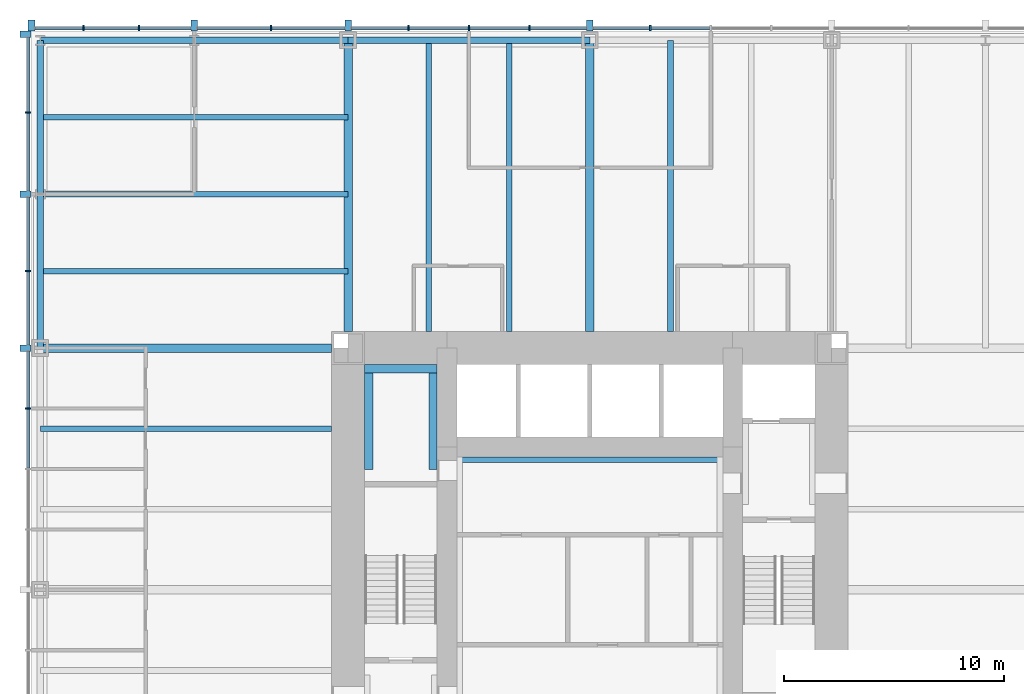
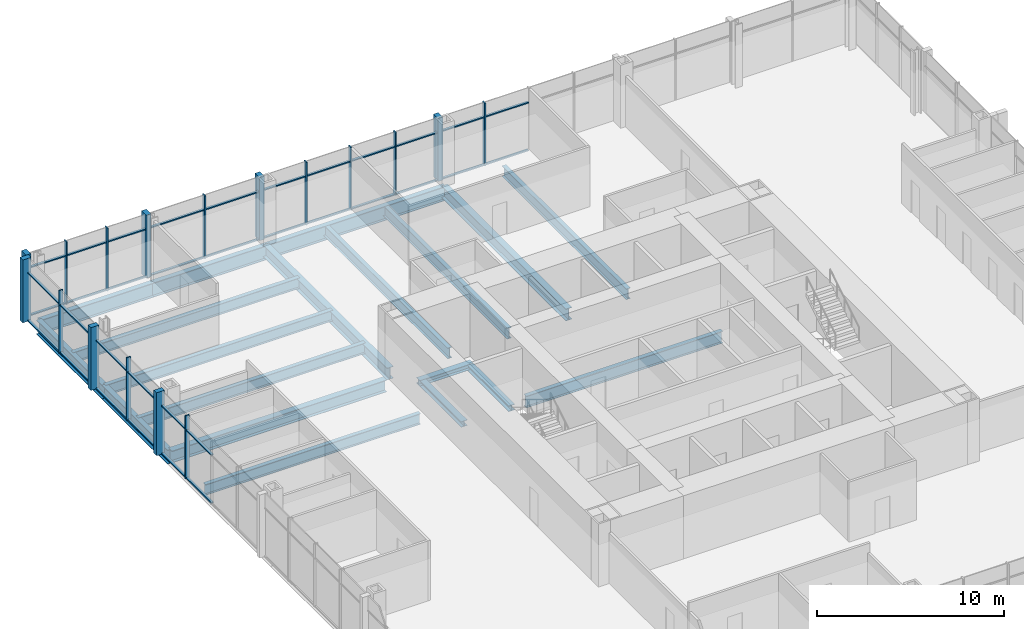
# One storey, part 5 of 13: 51 members, 19 beams, 2 elements without a shape of their own.
"""IFC4 building model written with IfcOpenShell, lengths in metres."""

import ifcopenshell
import ifcopenshell.guid

model = None  # the IFC model being written
_history = None  # IfcOwnerHistory: only IFC2X3 demands one
_inside = {}  # id of a spatial element -> (the spatial element, [elements in it])
_under = {}  # id of a project, library or spatial element -> (it, [spatial elements below it])
_declared = {}  # id of a project -> (the project, [libraries it declares])
_typed = {}  # id of a type object -> (the type object, [elements of that type])
_made_of = {}  # id of a material, layer set ... -> (it, [elements and type objects made of it])


def new_model(schema):
    """Start an empty IFC model of exactly this schema.

    Asked for "IFC4X3", IfcOpenShell would pick the latest addendum, in which some entities
    have other attributes; the version numbers below select the first issue.
    IFC2X3 requires an IfcOwnerHistory on every rooted entity: one is made here for all.
    """
    global model, _history
    if schema == "IFC4X3":
        model = ifcopenshell.file(schema_version=(4, 3, 0, 0))
    else:
        model = ifcopenshell.file(schema=schema)
    _inside.clear()
    _under.clear()
    _declared.clear()
    _typed.clear()
    _made_of.clear()
    _history = None
    if model.schema == "IFC2X3":
        org = make("IfcOrganization", Name="unknown")
        user = make(
            "IfcPersonAndOrganization",
            ThePerson=make("IfcPerson", FamilyName="unknown"),
            TheOrganization=org,
        )
        app = make(
            "IfcApplication",
            ApplicationDeveloper=org,
            Version="unknown",
            ApplicationFullName="unknown",
            ApplicationIdentifier="unknown",
        )
        _history = make(
            "IfcOwnerHistory",
            OwningUser=user,
            OwningApplication=app,
            ChangeAction="ADDED",
            CreationDate=0,
        )
    return model


def make(cls, **values):
    """One entity of the class cls with the attributes given. An attribute that is None is left unset."""
    return model.create_entity(
        cls, **{name: value for name, value in values.items() if value is not None}
    )


def rooted(cls, **values):
    """An entity with a GlobalId (a new one), such as an element, a storey or a relation."""
    return make(cls, GlobalId=ifcopenshell.guid.new(), OwnerHistory=_history, **values)


def si_unit(unit_type, name, prefix=None):
    """IfcSIUnit, for example si_unit("LENGTHUNIT", "METRE", prefix="MILLI")."""
    return make("IfcSIUnit", UnitType=unit_type, Prefix=prefix, Name=name)


def assignment(units):
    """IfcUnitAssignment: the units of a project."""
    return None if units is None else make("IfcUnitAssignment", Units=units)


def point(xyz):
    """IfcCartesianPoint."""
    return None if xyz is None else make("IfcCartesianPoint", Coordinates=xyz)


def direction(xyz):
    """IfcDirection."""
    return None if xyz is None else make("IfcDirection", DirectionRatios=xyz)


def frame(location, z_axis=None, x_axis=None):
    """IfcAxis2Placement3D, a coordinate frame: its origin and axes. An axis left out is left unset."""
    return make(
        "IfcAxis2Placement3D",
        Location=point(location),
        Axis=direction(z_axis),
        RefDirection=direction(x_axis),
    )


def frame_2d(location, x_axis=None):
    """IfcAxis2Placement2D, a coordinate frame in the plane: its origin and x axis."""
    return make(
        "IfcAxis2Placement2D", Location=point(location), RefDirection=direction(x_axis)
    )


def origin():
    """The frame at (0, 0, 0) with its axes left unset."""
    return frame((0.0, 0.0, 0.0))


def origin_2d():
    """The frame at (0, 0) in the plane with its x axis left unset."""
    return frame_2d((0.0, 0.0))


def place(relative_to, where):
    """IfcLocalPlacement: puts the frame where relative to a parent placement (None: the world)."""
    return make(
        "IfcLocalPlacement", PlacementRelTo=relative_to, RelativePlacement=where
    )


def context(
    kind, dimensions, precision=None, world=None, true_north=None, identifier=None
):
    """IfcGeometricRepresentationContext, for example the 3D "Model" context."""
    return make(
        "IfcGeometricRepresentationContext",
        ContextIdentifier=identifier,
        ContextType=kind,
        CoordinateSpaceDimension=dimensions,
        Precision=precision,
        WorldCoordinateSystem=world,
        TrueNorth=true_north,
    )


def subcontext(parent, identifier, kind, view, scale=None):
    """IfcGeometricRepresentationSubContext, for example "Body" below "Model"."""
    return make(
        "IfcGeometricRepresentationSubContext",
        ContextIdentifier=identifier,
        ContextType=kind,
        ParentContext=parent,
        TargetScale=scale,
        TargetView=view,
    )


def project(units=None, contexts=None):
    """IfcProject with its units and contexts."""
    return rooted(
        "IfcProject",
        Name="project",
        RepresentationContexts=contexts,
        UnitsInContext=assignment(units),
    )


def spatial(cls, under=None, at=None, **own):
    """A site, building, storey or space (cls), placed at a placement, below another one or the project."""
    s = rooted(cls, ObjectPlacement=at, **own)
    if under is not None:
        _under.setdefault(under.id(), (under, []))[1].append(s)
    return s


def profile(cls, at=None, kind="AREA", **sizes):
    """A parametric profile (cls). Its sizes go by their IFC names, for example OverallWidth=200.0."""
    return make(cls, ProfileType=kind, Position=at, **sizes)


def rectangle(**sizes):
    """IfcRectangleProfileDef."""
    return profile("IfcRectangleProfileDef", **sizes)


def i_section(**sizes):
    """IfcIShapeProfileDef."""
    return profile("IfcIShapeProfileDef", **sizes)


def extrude(swept, where, along, depth):
    """IfcExtrudedAreaSolid: the profile swept, set in the frame where, extruded along a direction by depth."""
    return make(
        "IfcExtrudedAreaSolid",
        SweptArea=swept,
        Position=where,
        ExtrudedDirection=direction(along),
        Depth=depth,
    )


def shape(context_of_items, identifier, shape_type, items):
    """IfcShapeRepresentation: the items that make up one representation, for example the "Body"."""
    return make(
        "IfcShapeRepresentation",
        ContextOfItems=context_of_items,
        RepresentationIdentifier=identifier,
        RepresentationType=shape_type,
        Items=items,
    )


def material(Name=None, Category=None):
    """IfcMaterial."""
    return make("IfcMaterial", Name=Name, Category=Category)


def material_profile(
    of_material, cross_section, Name=None, Category=None, Priority=None
):
    """IfcMaterialProfile: a cross section and its material."""
    return make(
        "IfcMaterialProfile",
        Name=Name,
        Material=of_material,
        Profile=cross_section,
        Priority=Priority,
        Category=Category,
    )


def profile_set(profiles, Name=None, composite=None):
    """IfcMaterialProfileSet."""
    return make(
        "IfcMaterialProfileSet",
        Name=Name,
        MaterialProfiles=profiles,
        CompositeProfile=composite,
    )


def made_of(thing, what):
    """Note that an element or type object is made of a material, layer set ...; save() writes the relation."""
    if what is not None:
        _made_of.setdefault(what.id(), (what, []))[1].append(thing)
    return thing


def type_object(cls, material=None, **own):
    """A type object (cls), such as IfcWallType, which elements share."""
    return made_of(rooted(cls, **own), material)


def element(
    cls,
    number,
    at=None,
    inside=None,
    cuts=None,
    type_object=None,
    material=None,
    context=None,
    identifier="Body",
    shape_type=None,
    held_by="IfcProductDefinitionShape",
    body=None,
    shapes=None,
    **own,
):
    """One element of the class cls, such as IfcWall. Its Tag is "e" and its number.

    at: its placement. inside: the storey or other place that contains it. cuts: it is an
    opening in that element (IfcRelVoidsElement). A single representation is given by context,
    identifier, shape_type and body (its items); several are given by shapes. held_by: the class
    of the entity that holds the representations. save() writes the other relations.
    """
    e = rooted(cls, Tag="e%d" % number, ObjectPlacement=at, **own)
    if body is not None:
        shapes = [shape(context, identifier, shape_type, body)]
    if shapes is not None:
        e.Representation = make(held_by, Representations=shapes)
    if inside is not None:
        _inside.setdefault(inside.id(), (inside, []))[1].append(e)
    if cuts is not None:
        rooted(
            "IfcRelVoidsElement", RelatingBuildingElement=cuts, RelatedOpeningElement=e
        )
    if type_object is not None:
        _typed.setdefault(type_object.id(), (type_object, []))[1].append(e)
    return made_of(e, material)


def aggregate(whole, parts):
    """IfcRelAggregates: a whole, such as a stair, and the parts it consists of."""
    return rooted("IfcRelAggregates", RelatingObject=whole, RelatedObjects=parts)


def save(model, path):
    """Write the relations noted so far, then the file.

    IfcRelAggregates (storeys below a building ...), IfcRelContainedInSpatialStructure (elements
    in a storey), IfcRelDefinesByType, IfcRelAssociatesMaterial and IfcRelDeclares: one each for
    every whole, place, type object, material and project.
    """
    for whole, parts in _under.values():
        aggregate(whole, parts)
    for where, things in _inside.values():
        rooted(
            "IfcRelContainedInSpatialStructure",
            RelatedElements=things,
            RelatingStructure=where,
        )
    for kind, things in _typed.values():
        rooted("IfcRelDefinesByType", RelatedObjects=things, RelatingType=kind)
    for what, things in _made_of.values():
        rooted("IfcRelAssociatesMaterial", RelatedObjects=things, RelatingMaterial=what)
    for by, libraries in _declared.values():
        rooted("IfcRelDeclares", RelatingContext=by, RelatedDefinitions=libraries)
    model.write(path)


model = new_model("IFC4")

# Units and contexts
model_context = context("Model", 3, precision=1e-05, world=origin(), true_north=direction((0.0, 1.0)))
body_context = subcontext(model_context, "Body", "Model", "MODEL_VIEW")
ifc_project = project(units=[si_unit("LENGTHUNIT", "METRE"), si_unit("AREAUNIT", "SQUARE_METRE"), si_unit("VOLUMEUNIT", "CUBIC_METRE"), si_unit("PLANEANGLEUNIT", "RADIAN"), si_unit("MASSUNIT", "GRAM", prefix="KILO")], contexts=[model_context])

# Site, building, storey
site_placement = place(None, origin())
site = spatial("IfcSite", under=ifc_project, at=site_placement, CompositionType="ELEMENT")
building_placement = place(site_placement, origin())
building = spatial("IfcBuilding", under=site, at=building_placement, Name="Trevanion Tower", CompositionType="ELEMENT")
storey_placement = place(building_placement, frame((0.0, 0.0, 85.699951171875)))
storey = spatial("IfcBuildingStorey", under=building, at=storey_placement, Name="L20", CompositionType="ELEMENT", Elevation=85.699951171875)

# Beams
ifc_material_1 = material(Name="Steel ASTM A992 Grade 50", Category="steel")
ifc_material_profile_1 = material_profile(ifc_material_1, i_section(OverallWidth=0.25390625, OverallDepth=0.700927734375, WebThickness=0.015380859375, FlangeThickness=0.02783203125, at=origin_2d()), Name="W27X129")
ifc_profile_set_1 = profile_set([ifc_material_profile_1], Name="Steel ASTM A992 Grade 50")
beam_type_1 = type_object("IfcBeamType", Name="B3 W27X129", PredefinedType="BEAM", material=ifc_profile_set_1)
for number, where, z_axis, x_axis, name in (
    (1, (3.666748046875, 11.75, -0.54052734375), (0.0, 1.0, 0.0), (-1.0, 0.0, 0.0), "B3 L20"),
    (2, (-3.666748046875, 11.75, -0.54052734375), (0.0, 1.0, 0.0), (-1.0, 0.0, 0.0), "B3 L20"),
    (3, (-7.333251953125, 11.75, -0.54052734375), (0.0, 1.0, 0.0), (-1.0, 0.0, 0.0), "B3 L20"),
    (4, (-11.75, 7.333251953125, -0.54052734375), (-1.0, 0.0, 0.0), (0.0, -1.0, 0.0), "B3 L20"),
):
    element("IfcBeam", number, at=place(storey_placement, frame(where, z_axis=z_axis, x_axis=x_axis)), inside=storey, type_object=beam_type_1, Name=name, PredefinedType="BEAM", context=body_context, shape_type="SweptSolid", body=[
        extrude(i_section(OverallWidth=0.25390625, OverallDepth=0.700927734375, WebThickness=0.015380859375, FlangeThickness=0.02783203125, at=origin_2d()), origin(), (0.0, 0.0, 1.0), 13.25),
    ])
ifc_material_2 = material(Name="Steel ASTM A992 Grade 50", Category="steel")
ifc_material_profile_2 = material_profile(ifc_material_2, i_section(OverallWidth=0.256591796875, OverallDepth=0.693359375, WebThickness=0.014404296875, FlangeThickness=0.023681640625, at=origin_2d()), Name="W27X114")
ifc_profile_set_2 = profile_set([ifc_material_profile_2], Name="Steel ASTM A992 Grade 50")
beam_type_2 = type_object("IfcBeamType", Name="B4 W27X114", PredefinedType="BEAM", material=ifc_profile_set_2)
for number, where, z_axis, x_axis, name in (
    (5, (-11.0, 14.5, -0.53662109375), (-1.0, 0.0, 0.0), (0.0, -1.0, 0.0), "B4 L20"),
    (6, (-11.0, 18.0, -0.53662109375), (-1.0, 0.0, 0.0), (0.0, -1.0, 0.0), "B4 L20"),
    (7, (-11.0, 21.5, -0.53662109375), (-1.0, 0.0, 0.0), (0.0, -1.0, 0.0), "B4 L20"),
):
    element("IfcBeam", number, at=place(storey_placement, frame(where, z_axis=z_axis, x_axis=x_axis)), inside=storey, type_object=beam_type_2, Name=name, PredefinedType="BEAM", context=body_context, shape_type="SweptSolid", body=[
        extrude(i_section(OverallWidth=0.256591796875, OverallDepth=0.693359375, WebThickness=0.014404296875, FlangeThickness=0.023681640625, at=origin_2d()), origin(), (0.0, 0.0, 1.0), 14.0),
    ])

# Curtain wall, members
ifc_material_3 = material(Name="Aluminium and glass", Category="aluminium")
curtain_wall_type = type_object("IfcCurtainWallType", Name="CW1 curtain wall", PredefinedType="USERDEFINED", material=ifc_material_3)
curtain_wall_1_placement = place(storey_placement, origin())
curtain_wall_1 = element("IfcCurtainWall", 8, at=curtain_wall_1_placement, inside=storey, type_object=curtain_wall_type, Name="CW1 L20 1", ObjectType="UNITISED CURTAIN WALL", PredefinedType="USERDEFINED")
ifc_material_4 = material(Name="Aluminium extrusion, anodised bronze", Category="aluminium")
ifc_material_profile_3 = material_profile(ifc_material_4, rectangle(XDim=0.074951171875, YDim=0.25, at=origin_2d()), Name="CW1 mullion")
ifc_profile_set_3 = profile_set([ifc_material_profile_3], Name="Aluminium extrusion, anodised bronze")
member_type_1 = type_object("IfcMemberType", Name="CW1 mullion", PredefinedType="MULLION", material=ifc_profile_set_3)
member_1_placement = place(storey_placement, frame((2.75, 25.550048828125, -0.18994140625), z_axis=(0.0, 0.0, 1.0), x_axis=(-1.0, 0.0, 0.0)))
member_1 = element("IfcMember", 9, at=member_1_placement, type_object=member_type_1, Name="CW1 mullion 8", PredefinedType="MULLION", context=body_context, shape_type="SweptSolid", body=[
    extrude(rectangle(XDim=0.074951171875, YDim=0.25, at=origin_2d()), origin(), (0.0, 0.0, 1.0), 4.10009765625),
])
member_2_placement = place(storey_placement, frame((-2.75, 25.550048828125, -0.18994140625), z_axis=(0.0, 0.0, 1.0), x_axis=(-1.0, 0.0, 0.0)))
member_2 = element("IfcMember", 10, at=member_2_placement, type_object=member_type_1, Name="CW1 mullion 10", PredefinedType="MULLION", context=body_context, shape_type="SweptSolid", body=[
    extrude(rectangle(XDim=0.074951171875, YDim=0.25, at=origin_2d()), origin(), (0.0, 0.0, 1.0), 4.10009765625),
])
member_3_placement = place(storey_placement, frame((-5.5, 25.550048828125, -0.18994140625), z_axis=(0.0, 0.0, 1.0), x_axis=(-1.0, 0.0, 0.0)))
member_3 = element("IfcMember", 11, at=member_3_placement, type_object=member_type_1, Name="CW1 mullion 11", PredefinedType="MULLION", context=body_context, shape_type="SweptSolid", body=[
    extrude(rectangle(XDim=0.074951171875, YDim=0.25, at=origin_2d()), origin(), (0.0, 0.0, 1.0), 4.10009765625),
])
member_4_placement = place(storey_placement, frame((-8.25, 25.550048828125, -0.18994140625), z_axis=(0.0, 0.0, 1.0), x_axis=(-1.0, 0.0, 0.0)))
member_4 = element("IfcMember", 12, at=member_4_placement, type_object=member_type_1, Name="CW1 mullion 12", PredefinedType="MULLION", context=body_context, shape_type="SweptSolid", body=[
    extrude(rectangle(XDim=0.074951171875, YDim=0.25, at=origin_2d()), origin(), (0.0, 0.0, 1.0), 4.10009765625),
])
member_5_placement = place(storey_placement, frame((-14.5, 25.550048828125, -0.18994140625), z_axis=(0.0, 0.0, 1.0), x_axis=(-1.0, 0.0, 0.0)))
member_5 = element("IfcMember", 13, at=member_5_placement, type_object=member_type_1, Name="CW1 mullion 14", PredefinedType="MULLION", context=body_context, shape_type="SweptSolid", body=[
    extrude(rectangle(XDim=0.074951171875, YDim=0.25, at=origin_2d()), origin(), (0.0, 0.0, 1.0), 4.10009765625),
])
member_6_placement = place(storey_placement, frame((-20.5166015625, 25.550048828125, -0.18994140625), z_axis=(0.0, 0.0, 1.0), x_axis=(-1.0, 0.0, 0.0)))
member_6 = element("IfcMember", 14, at=member_6_placement, type_object=member_type_1, Name="CW1 mullion 16", PredefinedType="MULLION", context=body_context, shape_type="SweptSolid", body=[
    extrude(rectangle(XDim=0.074951171875, YDim=0.25, at=origin_2d()), origin(), (0.0, 0.0, 1.0), 4.10009765625),
])
member_7_placement = place(storey_placement, frame((-23.033203125, 25.550048828125, -0.18994140625), z_axis=(0.0, 0.0, 1.0), x_axis=(-1.0, 0.0, 0.0)))
member_7 = element("IfcMember", 15, at=member_7_placement, type_object=member_type_1, Name="CW1 mullion 17", PredefinedType="MULLION", context=body_context, shape_type="SweptSolid", body=[
    extrude(rectangle(XDim=0.074951171875, YDim=0.25, at=origin_2d()), origin(), (0.0, 0.0, 1.0), 4.10009765625),
])

curtain_wall_2_placement = place(storey_placement, origin())
curtain_wall_2 = element("IfcCurtainWall", 16, at=curtain_wall_2_placement, inside=storey, type_object=curtain_wall_type, Name="CW1 L20 2", ObjectType="UNITISED CURTAIN WALL", PredefinedType="USERDEFINED")
member_8_placement = place(storey_placement, frame((-25.550048828125, 21.7099609375, -0.18994140625), z_axis=(0.0, 0.0, 1.0), x_axis=(0.0, -1.0, 0.0)))
member_8 = element("IfcMember", 17, at=member_8_placement, type_object=member_type_1, Name="CW1 mullion 2", PredefinedType="MULLION", context=body_context, shape_type="SweptSolid", body=[
    extrude(rectangle(XDim=0.074951171875, YDim=0.25, at=origin_2d()), origin(), (0.0, 0.0, 1.0), 4.10009765625),
])
member_9_placement = place(storey_placement, frame((-25.550048828125, 14.5, -0.18994140625), z_axis=(0.0, 0.0, 1.0), x_axis=(0.0, -1.0, 0.0)))
member_9 = element("IfcMember", 18, at=member_9_placement, type_object=member_type_1, Name="CW1 mullion 4", PredefinedType="MULLION", context=body_context, shape_type="SweptSolid", body=[
    extrude(rectangle(XDim=0.074951171875, YDim=0.25, at=origin_2d()), origin(), (0.0, 0.0, 1.0), 4.10009765625),
])
member_10_placement = place(storey_placement, frame((-25.550048828125, 8.25, -0.18994140625), z_axis=(0.0, 0.0, 1.0), x_axis=(0.0, -1.0, 0.0)))
member_10 = element("IfcMember", 19, at=member_10_placement, type_object=member_type_1, Name="CW1 mullion 6", PredefinedType="MULLION", context=body_context, shape_type="SweptSolid", body=[
    extrude(rectangle(XDim=0.074951171875, YDim=0.25, at=origin_2d()), origin(), (0.0, 0.0, 1.0), 4.10009765625),
])

# Member
ifc_material_5 = material(Name="Aluminium extrusion, anodised bronze", Category="aluminium")
ifc_material_profile_4 = material_profile(ifc_material_5, rectangle(XDim=0.300048828125, YDim=0.5, at=origin_2d()), Name="CW1 pier mullion")
ifc_profile_set_4 = profile_set([ifc_material_profile_4], Name="Aluminium extrusion, anodised bronze")
member_type_2 = type_object("IfcMemberType", Name="CW1 pier mullion", PredefinedType="MULLION", material=ifc_profile_set_4)
member_11_placement = place(storey_placement, frame((0.0, 25.675048828125, -0.18994140625), z_axis=(0.0, 0.0, 1.0), x_axis=(-1.0, 0.0, 0.0)))
member_11 = element("IfcMember", 20, at=member_11_placement, type_object=member_type_2, Name="CW1 pier mullion 9", PredefinedType="MULLION", context=body_context, shape_type="SweptSolid", body=[
    extrude(rectangle(XDim=0.300048828125, YDim=0.5, at=origin_2d()), origin(), (0.0, 0.0, 1.0), 4.10009765625),
])

member_12_placement = place(storey_placement, frame((-11.0, 25.675048828125, -0.18994140625), z_axis=(0.0, 0.0, 1.0), x_axis=(-1.0, 0.0, 0.0)))
member_12 = element("IfcMember", 21, at=member_12_placement, type_object=member_type_2, Name="CW1 pier mullion 13", PredefinedType="MULLION", context=body_context, shape_type="SweptSolid", body=[
    extrude(rectangle(XDim=0.300048828125, YDim=0.5, at=origin_2d()), origin(), (0.0, 0.0, 1.0), 4.10009765625),
])

member_13_placement = place(storey_placement, frame((-18.0, 25.675048828125, -0.18994140625), z_axis=(0.0, 0.0, 1.0), x_axis=(-1.0, 0.0, 0.0)))
member_13 = element("IfcMember", 22, at=member_13_placement, type_object=member_type_2, Name="CW1 pier mullion 15", PredefinedType="MULLION", context=body_context, shape_type="SweptSolid", body=[
    extrude(rectangle(XDim=0.300048828125, YDim=0.5, at=origin_2d()), origin(), (0.0, 0.0, 1.0), 4.10009765625),
])

member_14_placement = place(storey_placement, frame((-25.39990234375, 25.675048828125, -0.18994140625), z_axis=(0.0, 0.0, 1.0), x_axis=(-1.0, 0.0, 0.0)))
member_14 = element("IfcMember", 23, at=member_14_placement, type_object=member_type_2, Name="CW1 pier mullion 18", PredefinedType="MULLION", context=body_context, shape_type="SweptSolid", body=[
    extrude(rectangle(XDim=0.300048828125, YDim=0.5, at=origin_2d()), origin(), (0.0, 0.0, 1.0), 4.10009765625),
])

member_15_placement = place(storey_placement, frame((-25.675048828125, 25.27001953125, -0.18994140625), z_axis=(0.0, 0.0, 1.0), x_axis=(0.0, -1.0, 0.0)))
member_15 = element("IfcMember", 24, at=member_15_placement, type_object=member_type_2, Name="CW1 pier mullion 1", PredefinedType="MULLION", context=body_context, shape_type="SweptSolid", body=[
    extrude(rectangle(XDim=0.300048828125, YDim=0.5, at=origin_2d()), origin(), (0.0, 0.0, 1.0), 4.10009765625),
])

member_16_placement = place(storey_placement, frame((-25.675048828125, 18.0, -0.18994140625), z_axis=(0.0, 0.0, 1.0), x_axis=(0.0, -1.0, 0.0)))
member_16 = element("IfcMember", 25, at=member_16_placement, type_object=member_type_2, Name="CW1 pier mullion 3", PredefinedType="MULLION", context=body_context, shape_type="SweptSolid", body=[
    extrude(rectangle(XDim=0.300048828125, YDim=0.5, at=origin_2d()), origin(), (0.0, 0.0, 1.0), 4.10009765625),
])

member_17_placement = place(storey_placement, frame((-25.675048828125, 11.0, -0.18994140625), z_axis=(0.0, 0.0, 1.0), x_axis=(0.0, -1.0, 0.0)))
member_17 = element("IfcMember", 26, at=member_17_placement, type_object=member_type_2, Name="CW1 pier mullion 5", PredefinedType="MULLION", context=body_context, shape_type="SweptSolid", body=[
    extrude(rectangle(XDim=0.300048828125, YDim=0.5, at=origin_2d()), origin(), (0.0, 0.0, 1.0), 4.10009765625),
])

ifc_material_6 = material(Name="Aluminium extrusion, anodised bronze", Category="aluminium")
ifc_material_profile_5 = material_profile(ifc_material_6, rectangle(XDim=0.14990234375, YDim=0.074951171875, at=origin_2d()), Name="CW1 transom")
ifc_profile_set_5 = profile_set([ifc_material_profile_5], Name="Aluminium extrusion, anodised bronze")
member_type_3 = type_object("IfcMemberType", Name="CW1 transom", PredefinedType="USERDEFINED", material=ifc_profile_set_5)
member_18_placement = place(storey_placement, frame((5.46240234375, 25.550048828125, -0.15234375), z_axis=(-1.0, 0.0, 0.0), x_axis=(0.0, -1.0, 0.0)))
member_18 = element("IfcMember", 27, at=member_18_placement, type_object=member_type_3, Name="CW1 transom 7.1", ObjectType="TRANSOM", PredefinedType="USERDEFINED", context=body_context, shape_type="SweptSolid", body=[
    extrude(rectangle(XDim=0.14990234375, YDim=0.074951171875, at=origin_2d()), origin(), (0.0, 0.0, 1.0), 2.6748046875),
])

member_19_placement = place(storey_placement, frame((5.46240234375, 25.550048828125, 2.9599609375), z_axis=(-1.0, 0.0, 0.0), x_axis=(0.0, -1.0, 0.0)))
member_19 = element("IfcMember", 28, at=member_19_placement, type_object=member_type_3, Name="CW1 transom 7.2", ObjectType="TRANSOM", PredefinedType="USERDEFINED", context=body_context, shape_type="SweptSolid", body=[
    extrude(rectangle(XDim=0.14990234375, YDim=0.074951171875, at=origin_2d()), origin(), (0.0, 0.0, 1.0), 2.6748046875),
])

member_20_placement = place(storey_placement, frame((2.71240234375, 25.550048828125, -0.15234375), z_axis=(-1.0, 0.0, 0.0), x_axis=(0.0, -1.0, 0.0)))
member_20 = element("IfcMember", 29, at=member_20_placement, type_object=member_type_3, Name="CW1 transom 8.1", ObjectType="TRANSOM", PredefinedType="USERDEFINED", context=body_context, shape_type="SweptSolid", body=[
    extrude(rectangle(XDim=0.14990234375, YDim=0.074951171875, at=origin_2d()), origin(), (0.0, 0.0, 1.0), 2.5625),
])

member_21_placement = place(storey_placement, frame((2.71240234375, 25.550048828125, 2.9599609375), z_axis=(-1.0, 0.0, 0.0), x_axis=(0.0, -1.0, 0.0)))
member_21 = element("IfcMember", 30, at=member_21_placement, type_object=member_type_3, Name="CW1 transom 8.2", ObjectType="TRANSOM", PredefinedType="USERDEFINED", context=body_context, shape_type="SweptSolid", body=[
    extrude(rectangle(XDim=0.14990234375, YDim=0.074951171875, at=origin_2d()), origin(), (0.0, 0.0, 1.0), 2.5625),
])

member_22_placement = place(storey_placement, frame((-0.14990234375, 25.550048828125, -0.15234375), z_axis=(-1.0, 0.0, 0.0), x_axis=(0.0, -1.0, 0.0)))
member_22 = element("IfcMember", 31, at=member_22_placement, type_object=member_type_3, Name="CW1 transom 9.1", ObjectType="TRANSOM", PredefinedType="USERDEFINED", context=body_context, shape_type="SweptSolid", body=[
    extrude(rectangle(XDim=0.14990234375, YDim=0.074951171875, at=origin_2d()), origin(), (0.0, 0.0, 1.0), 2.5625),
])

member_23_placement = place(storey_placement, frame((-0.14990234375, 25.550048828125, 2.9599609375), z_axis=(-1.0, 0.0, 0.0), x_axis=(0.0, -1.0, 0.0)))
member_23 = element("IfcMember", 32, at=member_23_placement, type_object=member_type_3, Name="CW1 transom 9.2", ObjectType="TRANSOM", PredefinedType="USERDEFINED", context=body_context, shape_type="SweptSolid", body=[
    extrude(rectangle(XDim=0.14990234375, YDim=0.074951171875, at=origin_2d()), origin(), (0.0, 0.0, 1.0), 2.5625),
])

member_24_placement = place(storey_placement, frame((-2.78759765625, 25.550048828125, -0.15234375), z_axis=(-1.0, 0.0, 0.0), x_axis=(0.0, -1.0, 0.0)))
member_24 = element("IfcMember", 33, at=member_24_placement, type_object=member_type_3, Name="CW1 transom 10.1", ObjectType="TRANSOM", PredefinedType="USERDEFINED", context=body_context, shape_type="SweptSolid", body=[
    extrude(rectangle(XDim=0.14990234375, YDim=0.074951171875, at=origin_2d()), origin(), (0.0, 0.0, 1.0), 2.6748046875),
])

member_25_placement = place(storey_placement, frame((-2.78759765625, 25.550048828125, 2.9599609375), z_axis=(-1.0, 0.0, 0.0), x_axis=(0.0, -1.0, 0.0)))
member_25 = element("IfcMember", 34, at=member_25_placement, type_object=member_type_3, Name="CW1 transom 10.2", ObjectType="TRANSOM", PredefinedType="USERDEFINED", context=body_context, shape_type="SweptSolid", body=[
    extrude(rectangle(XDim=0.14990234375, YDim=0.074951171875, at=origin_2d()), origin(), (0.0, 0.0, 1.0), 2.6748046875),
])

member_26_placement = place(storey_placement, frame((-5.53759765625, 25.550048828125, -0.15234375), z_axis=(-1.0, 0.0, 0.0), x_axis=(0.0, -1.0, 0.0)))
member_26 = element("IfcMember", 35, at=member_26_placement, type_object=member_type_3, Name="CW1 transom 11.1", ObjectType="TRANSOM", PredefinedType="USERDEFINED", context=body_context, shape_type="SweptSolid", body=[
    extrude(rectangle(XDim=0.14990234375, YDim=0.074951171875, at=origin_2d()), origin(), (0.0, 0.0, 1.0), 2.6748046875),
])

member_27_placement = place(storey_placement, frame((-5.53759765625, 25.550048828125, 2.9599609375), z_axis=(-1.0, 0.0, 0.0), x_axis=(0.0, -1.0, 0.0)))
member_27 = element("IfcMember", 36, at=member_27_placement, type_object=member_type_3, Name="CW1 transom 11.2", ObjectType="TRANSOM", PredefinedType="USERDEFINED", context=body_context, shape_type="SweptSolid", body=[
    extrude(rectangle(XDim=0.14990234375, YDim=0.074951171875, at=origin_2d()), origin(), (0.0, 0.0, 1.0), 2.6748046875),
])

member_28_placement = place(storey_placement, frame((-8.28759765625, 25.550048828125, -0.15234375), z_axis=(-1.0, 0.0, 0.0), x_axis=(0.0, -1.0, 0.0)))
member_28 = element("IfcMember", 37, at=member_28_placement, type_object=member_type_3, Name="CW1 transom 12.1", ObjectType="TRANSOM", PredefinedType="USERDEFINED", context=body_context, shape_type="SweptSolid", body=[
    extrude(rectangle(XDim=0.14990234375, YDim=0.074951171875, at=origin_2d()), origin(), (0.0, 0.0, 1.0), 2.5625),
])

member_29_placement = place(storey_placement, frame((-8.28759765625, 25.550048828125, 2.9599609375), z_axis=(-1.0, 0.0, 0.0), x_axis=(0.0, -1.0, 0.0)))
member_29 = element("IfcMember", 38, at=member_29_placement, type_object=member_type_3, Name="CW1 transom 12.2", ObjectType="TRANSOM", PredefinedType="USERDEFINED", context=body_context, shape_type="SweptSolid", body=[
    extrude(rectangle(XDim=0.14990234375, YDim=0.074951171875, at=origin_2d()), origin(), (0.0, 0.0, 1.0), 2.5625),
])

member_30_placement = place(storey_placement, frame((-11.14990234375, 25.550048828125, -0.15234375), z_axis=(-1.0, 0.0, 0.0), x_axis=(0.0, -1.0, 0.0)))
member_30 = element("IfcMember", 39, at=member_30_placement, type_object=member_type_3, Name="CW1 transom 13.1", ObjectType="TRANSOM", PredefinedType="USERDEFINED", context=body_context, shape_type="SweptSolid", body=[
    extrude(rectangle(XDim=0.14990234375, YDim=0.074951171875, at=origin_2d()), origin(), (0.0, 0.0, 1.0), 3.3125),
])

member_31_placement = place(storey_placement, frame((-11.14990234375, 25.550048828125, 2.9599609375), z_axis=(-1.0, 0.0, 0.0), x_axis=(0.0, -1.0, 0.0)))
member_31 = element("IfcMember", 40, at=member_31_placement, type_object=member_type_3, Name="CW1 transom 13.2", ObjectType="TRANSOM", PredefinedType="USERDEFINED", context=body_context, shape_type="SweptSolid", body=[
    extrude(rectangle(XDim=0.14990234375, YDim=0.074951171875, at=origin_2d()), origin(), (0.0, 0.0, 1.0), 3.3125),
])

member_32_placement = place(storey_placement, frame((-14.53759765625, 25.550048828125, -0.15234375), z_axis=(-1.0, 0.0, 0.0), x_axis=(0.0, -1.0, 0.0)))
member_32 = element("IfcMember", 41, at=member_32_placement, type_object=member_type_3, Name="CW1 transom 14.1", ObjectType="TRANSOM", PredefinedType="USERDEFINED", context=body_context, shape_type="SweptSolid", body=[
    extrude(rectangle(XDim=0.14990234375, YDim=0.074951171875, at=origin_2d()), origin(), (0.0, 0.0, 1.0), 3.3125),
])

member_33_placement = place(storey_placement, frame((-14.53759765625, 25.550048828125, 2.9599609375), z_axis=(-1.0, 0.0, 0.0), x_axis=(0.0, -1.0, 0.0)))
member_33 = element("IfcMember", 42, at=member_33_placement, type_object=member_type_3, Name="CW1 transom 14.2", ObjectType="TRANSOM", PredefinedType="USERDEFINED", context=body_context, shape_type="SweptSolid", body=[
    extrude(rectangle(XDim=0.14990234375, YDim=0.074951171875, at=origin_2d()), origin(), (0.0, 0.0, 1.0), 3.3125),
])

member_34_placement = place(storey_placement, frame((-18.14990234375, 25.550048828125, -0.15234375), z_axis=(-1.0, 0.0, 0.0), x_axis=(0.0, -1.0, 0.0)))
member_34 = element("IfcMember", 43, at=member_34_placement, type_object=member_type_3, Name="CW1 transom 15.1", ObjectType="TRANSOM", PredefinedType="USERDEFINED", context=body_context, shape_type="SweptSolid", body=[
    extrude(rectangle(XDim=0.14990234375, YDim=0.074951171875, at=origin_2d()), origin(), (0.0, 0.0, 1.0), 2.329345703125),
])

member_35_placement = place(storey_placement, frame((-18.14990234375, 25.550048828125, 2.9599609375), z_axis=(-1.0, 0.0, 0.0), x_axis=(0.0, -1.0, 0.0)))
member_35 = element("IfcMember", 44, at=member_35_placement, type_object=member_type_3, Name="CW1 transom 15.2", ObjectType="TRANSOM", PredefinedType="USERDEFINED", context=body_context, shape_type="SweptSolid", body=[
    extrude(rectangle(XDim=0.14990234375, YDim=0.074951171875, at=origin_2d()), origin(), (0.0, 0.0, 1.0), 2.329345703125),
])

member_36_placement = place(storey_placement, frame((-20.55419921875, 25.550048828125, -0.15234375), z_axis=(-1.0, 0.0, 0.0), x_axis=(0.0, -1.0, 0.0)))
member_36 = element("IfcMember", 45, at=member_36_placement, type_object=member_type_3, Name="CW1 transom 16.1", ObjectType="TRANSOM", PredefinedType="USERDEFINED", context=body_context, shape_type="SweptSolid", body=[
    extrude(rectangle(XDim=0.14990234375, YDim=0.074951171875, at=origin_2d()), origin(), (0.0, 0.0, 1.0), 2.441650390625),
])

member_37_placement = place(storey_placement, frame((-20.55419921875, 25.550048828125, 2.9599609375), z_axis=(-1.0, 0.0, 0.0), x_axis=(0.0, -1.0, 0.0)))
member_37 = element("IfcMember", 46, at=member_37_placement, type_object=member_type_3, Name="CW1 transom 16.2", ObjectType="TRANSOM", PredefinedType="USERDEFINED", context=body_context, shape_type="SweptSolid", body=[
    extrude(rectangle(XDim=0.14990234375, YDim=0.074951171875, at=origin_2d()), origin(), (0.0, 0.0, 1.0), 2.441650390625),
])

member_38_placement = place(storey_placement, frame((-23.07080078125, 25.550048828125, -0.15234375), z_axis=(-1.0, 0.0, 0.0), x_axis=(0.0, -1.0, 0.0)))
member_38 = element("IfcMember", 47, at=member_38_placement, type_object=member_type_3, Name="CW1 transom 17.1", ObjectType="TRANSOM", PredefinedType="USERDEFINED", context=body_context, shape_type="SweptSolid", body=[
    extrude(rectangle(XDim=0.14990234375, YDim=0.074951171875, at=origin_2d()), origin(), (0.0, 0.0, 1.0), 2.17919921875),
])

member_39_placement = place(storey_placement, frame((-23.07080078125, 25.550048828125, 2.9599609375), z_axis=(-1.0, 0.0, 0.0), x_axis=(0.0, -1.0, 0.0)))
member_39 = element("IfcMember", 48, at=member_39_placement, type_object=member_type_3, Name="CW1 transom 17.2", ObjectType="TRANSOM", PredefinedType="USERDEFINED", context=body_context, shape_type="SweptSolid", body=[
    extrude(rectangle(XDim=0.14990234375, YDim=0.074951171875, at=origin_2d()), origin(), (0.0, 0.0, 1.0), 2.17919921875),
])

aggregate(curtain_wall_1, [member_1, member_11, member_2, member_3, member_4, member_12, member_5, member_13, member_6, member_7, member_14, member_18, member_19, member_20, member_21, member_22, member_23, member_24, member_25, member_26, member_27, member_28, member_29, member_30, member_31, member_32, member_33, member_34, member_35, member_36, member_37, member_38, member_39])

member_40_placement = place(storey_placement, frame((-25.550048828125, 25.1201171875, -0.15234375), z_axis=(0.0, -1.0, 0.0), x_axis=(1.0, 0.0, 0.0)))
member_40 = element("IfcMember", 49, at=member_40_placement, type_object=member_type_3, Name="CW1 transom 1.1", ObjectType="TRANSOM", PredefinedType="USERDEFINED", context=body_context, shape_type="SweptSolid", body=[
    extrude(rectangle(XDim=0.14990234375, YDim=0.074951171875, at=origin_2d()), origin(), (0.0, 0.0, 1.0), 3.37255859375),
])

member_41_placement = place(storey_placement, frame((-25.550048828125, 25.1201171875, 2.9599609375), z_axis=(0.0, -1.0, 0.0), x_axis=(1.0, 0.0, 0.0)))
member_41 = element("IfcMember", 50, at=member_41_placement, type_object=member_type_3, Name="CW1 transom 1.2", ObjectType="TRANSOM", PredefinedType="USERDEFINED", context=body_context, shape_type="SweptSolid", body=[
    extrude(rectangle(XDim=0.14990234375, YDim=0.074951171875, at=origin_2d()), origin(), (0.0, 0.0, 1.0), 3.37255859375),
])

member_42_placement = place(storey_placement, frame((-25.550048828125, 21.672607421875, -0.15234375), z_axis=(0.0, -1.0, 0.0), x_axis=(1.0, 0.0, 0.0)))
member_42 = element("IfcMember", 51, at=member_42_placement, type_object=member_type_3, Name="CW1 transom 2.1", ObjectType="TRANSOM", PredefinedType="USERDEFINED", context=body_context, shape_type="SweptSolid", body=[
    extrude(rectangle(XDim=0.14990234375, YDim=0.074951171875, at=origin_2d()), origin(), (0.0, 0.0, 1.0), 3.522705078125),
])

member_43_placement = place(storey_placement, frame((-25.550048828125, 21.672607421875, 2.9599609375), z_axis=(0.0, -1.0, 0.0), x_axis=(1.0, 0.0, 0.0)))
member_43 = element("IfcMember", 52, at=member_43_placement, type_object=member_type_3, Name="CW1 transom 2.2", ObjectType="TRANSOM", PredefinedType="USERDEFINED", context=body_context, shape_type="SweptSolid", body=[
    extrude(rectangle(XDim=0.14990234375, YDim=0.074951171875, at=origin_2d()), origin(), (0.0, 0.0, 1.0), 3.522705078125),
])

member_44_placement = place(storey_placement, frame((-25.550048828125, 17.85009765625, -0.15234375), z_axis=(0.0, -1.0, 0.0), x_axis=(1.0, 0.0, 0.0)))
member_44 = element("IfcMember", 53, at=member_44_placement, type_object=member_type_3, Name="CW1 transom 3.1", ObjectType="TRANSOM", PredefinedType="USERDEFINED", context=body_context, shape_type="SweptSolid", body=[
    extrude(rectangle(XDim=0.14990234375, YDim=0.074951171875, at=origin_2d()), origin(), (0.0, 0.0, 1.0), 3.3125),
])

member_45_placement = place(storey_placement, frame((-25.550048828125, 17.85009765625, 2.9599609375), z_axis=(0.0, -1.0, 0.0), x_axis=(1.0, 0.0, 0.0)))
member_45 = element("IfcMember", 54, at=member_45_placement, type_object=member_type_3, Name="CW1 transom 3.2", ObjectType="TRANSOM", PredefinedType="USERDEFINED", context=body_context, shape_type="SweptSolid", body=[
    extrude(rectangle(XDim=0.14990234375, YDim=0.074951171875, at=origin_2d()), origin(), (0.0, 0.0, 1.0), 3.3125),
])

member_46_placement = place(storey_placement, frame((-25.550048828125, 14.46240234375, -0.15234375), z_axis=(0.0, -1.0, 0.0), x_axis=(1.0, 0.0, 0.0)))
member_46 = element("IfcMember", 55, at=member_46_placement, type_object=member_type_3, Name="CW1 transom 4.1", ObjectType="TRANSOM", PredefinedType="USERDEFINED", context=body_context, shape_type="SweptSolid", body=[
    extrude(rectangle(XDim=0.14990234375, YDim=0.074951171875, at=origin_2d()), origin(), (0.0, 0.0, 1.0), 3.3125),
])

member_47_placement = place(storey_placement, frame((-25.550048828125, 14.46240234375, 2.9599609375), z_axis=(0.0, -1.0, 0.0), x_axis=(1.0, 0.0, 0.0)))
member_47 = element("IfcMember", 56, at=member_47_placement, type_object=member_type_3, Name="CW1 transom 4.2", ObjectType="TRANSOM", PredefinedType="USERDEFINED", context=body_context, shape_type="SweptSolid", body=[
    extrude(rectangle(XDim=0.14990234375, YDim=0.074951171875, at=origin_2d()), origin(), (0.0, 0.0, 1.0), 3.3125),
])

member_48_placement = place(storey_placement, frame((-25.550048828125, 10.85009765625, -0.15234375), z_axis=(0.0, -1.0, 0.0), x_axis=(1.0, 0.0, 0.0)))
member_48 = element("IfcMember", 57, at=member_48_placement, type_object=member_type_3, Name="CW1 transom 5.1", ObjectType="TRANSOM", PredefinedType="USERDEFINED", context=body_context, shape_type="SweptSolid", body=[
    extrude(rectangle(XDim=0.14990234375, YDim=0.074951171875, at=origin_2d()), origin(), (0.0, 0.0, 1.0), 2.5625),
])

member_49_placement = place(storey_placement, frame((-25.550048828125, 10.85009765625, 2.9599609375), z_axis=(0.0, -1.0, 0.0), x_axis=(1.0, 0.0, 0.0)))
member_49 = element("IfcMember", 58, at=member_49_placement, type_object=member_type_3, Name="CW1 transom 5.2", ObjectType="TRANSOM", PredefinedType="USERDEFINED", context=body_context, shape_type="SweptSolid", body=[
    extrude(rectangle(XDim=0.14990234375, YDim=0.074951171875, at=origin_2d()), origin(), (0.0, 0.0, 1.0), 2.5625),
])

member_50_placement = place(storey_placement, frame((-25.550048828125, 8.21240234375, -0.15234375), z_axis=(0.0, -1.0, 0.0), x_axis=(1.0, 0.0, 0.0)))
member_50 = element("IfcMember", 59, at=member_50_placement, type_object=member_type_3, Name="CW1 transom 6.1", ObjectType="TRANSOM", PredefinedType="USERDEFINED", context=body_context, shape_type="SweptSolid", body=[
    extrude(rectangle(XDim=0.14990234375, YDim=0.074951171875, at=origin_2d()), origin(), (0.0, 0.0, 1.0), 2.6748046875),
])

member_51_placement = place(storey_placement, frame((-25.550048828125, 8.21240234375, 2.9599609375), z_axis=(0.0, -1.0, 0.0), x_axis=(1.0, 0.0, 0.0)))
member_51 = element("IfcMember", 60, at=member_51_placement, type_object=member_type_3, Name="CW1 transom 6.2", ObjectType="TRANSOM", PredefinedType="USERDEFINED", context=body_context, shape_type="SweptSolid", body=[
    extrude(rectangle(XDim=0.14990234375, YDim=0.074951171875, at=origin_2d()), origin(), (0.0, 0.0, 1.0), 2.6748046875),
])

aggregate(curtain_wall_2, [member_15, member_8, member_16, member_9, member_17, member_10, member_40, member_41, member_42, member_43, member_44, member_45, member_46, member_47, member_48, member_49, member_50, member_51])

# Beams
ifc_material_7 = material(Name="Steel ASTM A992 Grade 50", Category="steel")
ifc_material_profile_6 = material_profile(ifc_material_7, i_section(OverallWidth=0.381103515625, OverallDepth=0.77978515625, WebThickness=0.01806640625, FlangeThickness=0.0302734375, at=origin_2d()), Name="W30X191")
ifc_profile_set_6 = profile_set([ifc_material_profile_6], Name="Steel ASTM A992 Grade 50")
beam_type_3 = type_object("IfcBeamType", Name="G2 W30X191", PredefinedType="BEAM", material=ifc_profile_set_6)
for number, where, z_axis, x_axis, name in (
    (61, (0.0, 11.75, -0.579833984375), (0.0, 1.0, 0.0), (-1.0, 0.0, 0.0), "G2 L20"),
    (62, (-11.0, 11.75, -0.579833984375), (0.0, 1.0, 0.0), (-1.0, 0.0, 0.0), "G2 L20"),
    (63, (-11.75, 11.0, -0.579833984375), (-1.0, 0.0, 0.0), (0.0, -1.0, 0.0), "G2 L20"),
):
    element("IfcBeam", number, at=place(storey_placement, frame(where, z_axis=z_axis, x_axis=x_axis)), inside=storey, type_object=beam_type_3, Name=name, PredefinedType="BEAM", context=body_context, shape_type="SweptSolid", body=[
        extrude(i_section(OverallWidth=0.381103515625, OverallDepth=0.77978515625, WebThickness=0.01806640625, FlangeThickness=0.0302734375, at=origin_2d()), origin(), (0.0, 0.0, 1.0), 13.25),
    ])
ifc_material_8 = material(Name="Steel ASTM A992 Grade 50", Category="steel")
ifc_material_profile_7 = material_profile(ifc_material_8, i_section(OverallWidth=0.373291015625, OverallDepth=0.373291015625, WebThickness=0.016357421875, FlangeThickness=0.026123046875, at=origin_2d()), Name="W14X132")
ifc_profile_set_7 = profile_set([ifc_material_profile_7], Name="Steel ASTM A992 Grade 50")
beam_type_4 = type_object("IfcBeamType", Name="LB2 W14X132", PredefinedType="BEAM", material=ifc_profile_set_7)
for number, where, z_axis, x_axis, name in (
    (64, (-10.063232421875, 5.47509765625, -0.38671875), (0.0, 1.0, 0.0), (-1.0, 0.0, 0.0), "LB2 L20"),
    (65, (-7.13671875, 5.47509765625, -0.38671875), (0.0, 1.0, 0.0), (-1.0, 0.0, 0.0), "LB2 L20"),
):
    element("IfcBeam", number, at=place(storey_placement, frame(where, z_axis=z_axis, x_axis=x_axis)), inside=storey, type_object=beam_type_4, Name=name, PredefinedType="BEAM", context=body_context, shape_type="SweptSolid", body=[
        extrude(i_section(OverallWidth=0.373291015625, OverallDepth=0.373291015625, WebThickness=0.016357421875, FlangeThickness=0.026123046875, at=origin_2d()), origin(), (0.0, 0.0, 1.0), 4.77490234375),
    ])
beam_1_placement = place(storey_placement, frame((-10.25, 10.063232421875, -0.38671875), z_axis=(1.0, 0.0, 0.0), x_axis=(0.0, 1.0, 0.0)))
element("IfcBeam", 66, at=beam_1_placement, inside=storey, type_object=beam_type_4, Name="LB2 L20", PredefinedType="BEAM", context=body_context, shape_type="SweptSolid", body=[
    extrude(i_section(OverallWidth=0.373291015625, OverallDepth=0.373291015625, WebThickness=0.016357421875, FlangeThickness=0.026123046875, at=origin_2d()), origin(), (0.0, 0.0, 1.0), 3.300048828125),
])
ifc_material_9 = material(Name="Steel ASTM A992 Grade 50", Category="steel")
ifc_material_profile_8 = material_profile(ifc_material_9, i_section(OverallWidth=0.2666015625, OverallDepth=0.76953125, WebThickness=0.015625, FlangeThickness=0.025390625, at=origin_2d()), Name="W30X132")
ifc_profile_set_8 = profile_set([ifc_material_profile_8], Name="Steel ASTM A992 Grade 50")
beam_type_5 = type_object("IfcBeamType", Name="LB3 W30X132", PredefinedType="BEAM", material=ifc_profile_set_8)
beam_2_placement = place(storey_placement, frame((-6.050048828125, 5.91650390625, -0.584716796875), z_axis=(1.0, 0.0, 0.0), x_axis=(0.0, 1.0, 0.0)))
element("IfcBeam", 67, at=beam_2_placement, inside=storey, type_object=beam_type_5, Name="LB3 L20", PredefinedType="BEAM", context=body_context, shape_type="SweptSolid", body=[
    extrude(i_section(OverallWidth=0.2666015625, OverallDepth=0.76953125, WebThickness=0.015625, FlangeThickness=0.025390625, at=origin_2d()), origin(), (0.0, 0.0, 1.0), 12.10009765625),
])
ifc_material_10 = material(Name="Steel ASTM A992 Grade 50", Category="steel")
ifc_material_profile_9 = material_profile(ifc_material_10, i_section(OverallWidth=0.307373046875, OverallDepth=0.927001953125, WebThickness=0.01953125, FlangeThickness=0.031982421875, at=origin_2d()), Name="W36X194")
ifc_profile_set_9 = profile_set([ifc_material_profile_9], Name="Steel ASTM A992 Grade 50")
beam_type_6 = type_object("IfcBeamType", Name="SB2 W36X194", PredefinedType="SPANDREL", material=ifc_profile_set_9)
beam_3_placement = place(storey_placement, frame((0.0, 25.0, -0.653564453125), z_axis=(-1.0, 0.0, 0.0), x_axis=(0.0, -1.0, 0.0)))
element("IfcBeam", 68, at=beam_3_placement, inside=storey, type_object=beam_type_6, Name="SB2 L20", PredefinedType="SPANDREL", context=body_context, shape_type="SweptSolid", body=[
    extrude(i_section(OverallWidth=0.307373046875, OverallDepth=0.927001953125, WebThickness=0.01953125, FlangeThickness=0.031982421875, at=origin_2d()), origin(), (0.0, 0.0, 1.0), 11.0),
])
for number, where, z_axis, x_axis, name in (
    (69, (-11.0, 25.0, -0.653564453125), (-1.0, 0.0, 0.0), (0.0, -1.0, 0.0), "SB2 L20"),
    (70, (-18.0, 25.0, -0.653564453125), (-1.0, 0.0, 0.0), (0.0, -1.0, 0.0), "SB2 L20"),
    (71, (-25.0, 25.0, -0.653564453125), (0.0, -1.0, 0.0), (1.0, 0.0, 0.0), "SB2 L20"),
    (72, (-25.0, 18.0, -0.653564453125), (0.0, -1.0, 0.0), (1.0, 0.0, 0.0), "SB2 L20"),
):
    element("IfcBeam", number, at=place(storey_placement, frame(where, z_axis=z_axis, x_axis=x_axis)), inside=storey, type_object=beam_type_6, Name=name, PredefinedType="SPANDREL", context=body_context, shape_type="SweptSolid", body=[
        extrude(i_section(OverallWidth=0.307373046875, OverallDepth=0.927001953125, WebThickness=0.01953125, FlangeThickness=0.031982421875, at=origin_2d()), origin(), (0.0, 0.0, 1.0), 7.0),
    ])

save(model, "model.ifc")
